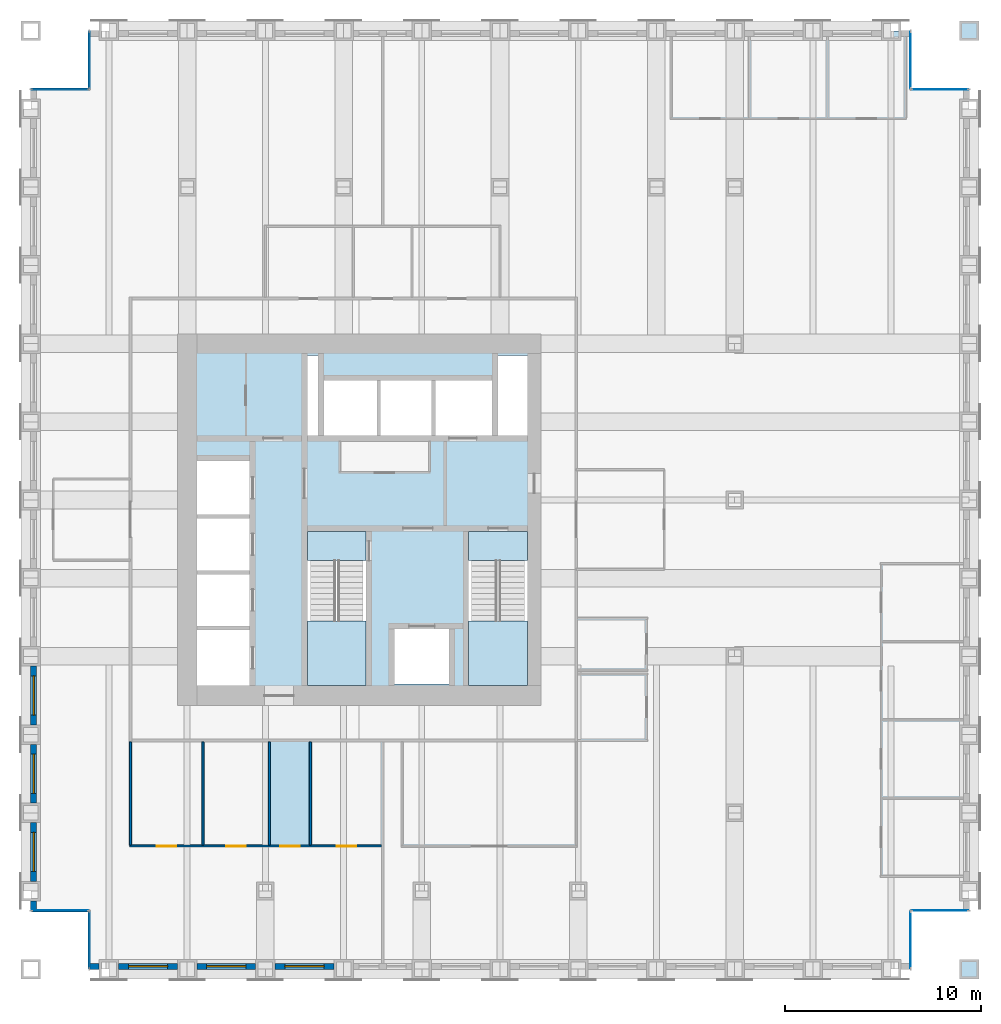
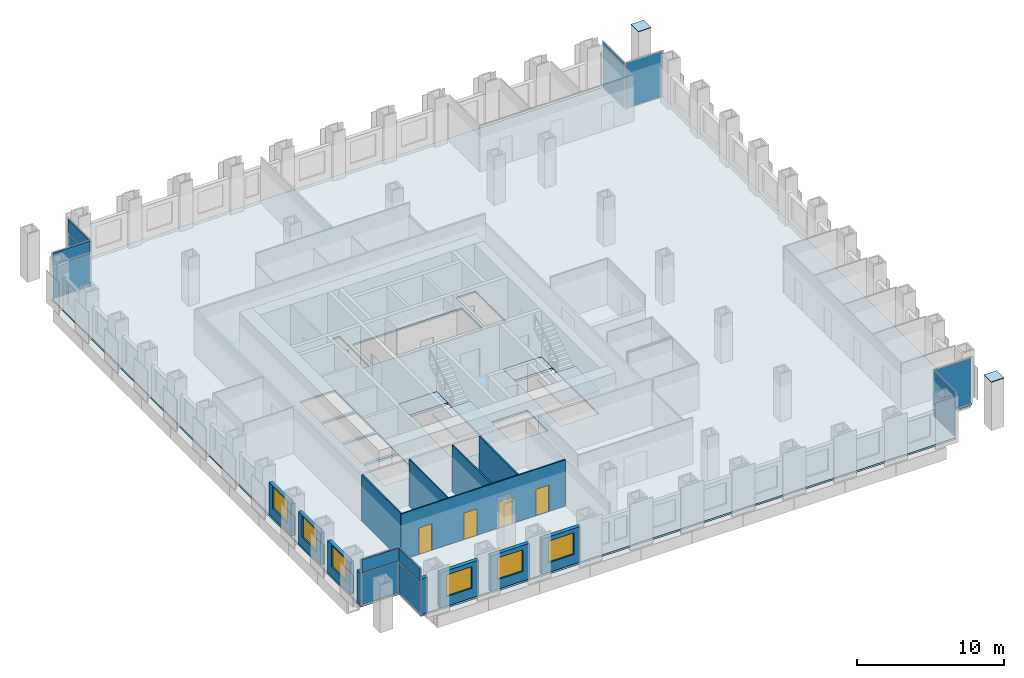
# One storey, part 10 of 16: 14 plates, 13 walls, 6 windows, 5 slabs, 4 doors, 10 openings, 14 elements without a shape of their own.
"""IFC4 building model written with IfcOpenShell, lengths in metres."""

from ifc_helpers import new_model, si_unit, direction, frame, frame_2d, origin, origin_2d, place, context, subcontext, project, spatial, polyline, rectangle, outline, extrude, material, layer, layer_set, type_object, element, fill, aggregate, save


model = new_model("IFC4")

# Units and contexts
model_context = context("Model", 3, precision=1e-05, world=origin(), true_north=direction((0.0, 1.0)))
body_context = subcontext(model_context, "Body", "Model", "MODEL_VIEW")
ifc_project = project(units=[si_unit("LENGTHUNIT", "METRE"), si_unit("AREAUNIT", "SQUARE_METRE"), si_unit("VOLUMEUNIT", "CUBIC_METRE"), si_unit("PLANEANGLEUNIT", "RADIAN"), si_unit("MASSUNIT", "GRAM", prefix="KILO")], contexts=[model_context])

# Site, building, storey
site_placement = place(None, origin())
site = spatial("IfcSite", under=ifc_project, at=site_placement, CompositionType="ELEMENT")
building_placement = place(site_placement, origin())
building = spatial("IfcBuilding", under=site, at=building_placement, Name="Rimbunsela Tower", CompositionType="ELEMENT")
storey_placement = place(building_placement, frame((0.0, 0.0, 133.39990234375)))
storey = spatial("IfcBuildingStorey", under=building, at=storey_placement, Name="L32", CompositionType="ELEMENT", Elevation=133.39990234375)

# Plates
ifc_material_1 = material(Name="Steel BJ 55 (fy 410 MPa)", Category="steel")
ifc_layer_1 = layer(ifc_material_1, 0.050048828125)
ifc_layer_set_1 = layer_set([ifc_layer_1], Name="End cap plate 50")
plate_type_1 = type_object("IfcPlateType", Name="End cap plate 50", PredefinedType="SHEET", material=ifc_layer_set_1)
for number, where, z_axis, x_axis, name in (
    (1, (58.0, 4.0, 4.0), (0.0, 0.0, 1.0), (1.0, 0.0, 0.0), "End cap Column C8 17/C L32"),
    (2, (58.0, 52.0, 4.0), (0.0, 0.0, 1.0), (1.0, 0.0, 0.0), "End cap Column C8 17/Q L32"),
):
    element("IfcPlate", number, at=place(storey_placement, frame(where, z_axis=z_axis, x_axis=x_axis)), inside=storey, type_object=plate_type_1, Name=name, PredefinedType="SHEET", context=body_context, shape_type="SweptSolid", body=[
        extrude(rectangle(XDim=1.0, YDim=1.0, at=origin_2d()), origin(), (0.0, 0.0, 1.0), 0.050048828125),
    ])

# Slab
ifc_material_2 = material(Name="Concrete fc' 35 MPa", Category="concrete")
ifc_layer_2 = layer(ifc_material_2, 0.14990234375)
ifc_layer_set_2 = layer_set([ifc_layer_2], Name="Floor slab 150")
slab_type_1 = type_object("IfcSlabType", Name="Floor slab 150", PredefinedType="FLOOR", material=ifc_layer_set_2)
slab_1_placement = place(storey_placement, frame((0.0, 0.0, -0.14990234375)))
element("IfcSlab", 3, at=slab_1_placement, inside=storey, type_object=slab_type_1, Name="Floor slab L32", PredefinedType="FLOOR", context=body_context, shape_type="SweptSolid", body=[
    extrude(outline(polyline([(13.0, 4.0), (55.0, 4.0), (55.0, 7.0), (58.0, 7.0), (58.0, 49.0), (55.0, 49.0), (55.0, 52.0), (13.0, 52.0), (13.0, 49.0), (10.0, 49.0), (10.0, 7.0), (13.0, 7.0), (13.0, 4.0)]), holes=[polyline([(21.199951171875, 21.35009765625), (18.5, 21.35009765625), (18.5, 18.5), (21.199951171875, 18.5), (21.199951171875, 21.35009765625)]), polyline([(21.199951171875, 21.550048828125), (21.199951171875, 24.199951171875), (18.5, 24.199951171875), (18.5, 21.550048828125), (21.199951171875, 21.550048828125)]), polyline([(21.199951171875, 27.050048828125), (18.5, 27.050048828125), (18.5, 24.39990234375), (21.199951171875, 24.39990234375), (21.199951171875, 27.050048828125)]), polyline([(21.199951171875, 27.25), (21.199951171875, 30.0), (18.5, 30.0), (18.5, 27.25), (21.199951171875, 27.25)]), polyline([(27.14990234375, 18.60009765625), (27.14990234375, 26.39990234375), (24.14990234375, 26.39990234375), (24.14990234375, 18.60009765625), (27.14990234375, 18.60009765625)]), polyline([(24.699951171875, 31.300048828125), (24.699951171875, 35.39990234375), (24.14990234375, 35.39990234375), (24.14990234375, 31.300048828125), (24.699951171875, 31.300048828125)]), polyline([(25.0, 34.10009765625), (25.0, 31.300048828125), (33.60009765625, 31.300048828125), (33.60009765625, 34.10009765625), (25.0, 34.10009765625)]), polyline([(31.39990234375, 21.39990234375), (28.60009765625, 21.39990234375), (28.60009765625, 18.60009765625), (31.39990234375, 18.60009765625), (31.39990234375, 21.39990234375)]), polyline([(35.39990234375, 18.60009765625), (35.39990234375, 26.39990234375), (32.39990234375, 26.39990234375), (32.39990234375, 18.60009765625), (35.39990234375, 18.60009765625)]), polyline([(35.39990234375, 31.300048828125), (35.39990234375, 35.39990234375), (33.89990234375, 35.39990234375), (33.89990234375, 31.300048828125), (35.39990234375, 31.300048828125)])]), origin(), (0.0, 0.0, 1.0), 0.14990234375),
])

# Curtain wall, plate
ifc_material_3 = material(Name="Aluminium curtain wall", Category="aluminium")
curtain_wall_type_1 = type_object("IfcCurtainWallType", Name="Corner glazing", PredefinedType="USERDEFINED", material=ifc_material_3)
curtain_wall_1_placement = place(storey_placement, origin())
curtain_wall_1 = element("IfcCurtainWall", 4, at=curtain_wall_1_placement, inside=storey, type_object=curtain_wall_type_1, Name="Corner glazing L32", ObjectType="CORNER GLAZING", PredefinedType="USERDEFINED")
ifc_material_4 = material(Name="Clear double glazing", Category="glass")
ifc_layer_3 = layer(ifc_material_4, 0.028076171875)
ifc_layer_set_3 = layer_set([ifc_layer_3], Name="Glazed panel clear")
plate_type_2 = type_object("IfcPlateType", Name="Glazed panel clear", PredefinedType="CURTAIN_PANEL", material=ifc_layer_set_3)
plate_1_placement = place(storey_placement, frame((55.0, 5.5, 0.06005859375), z_axis=(0.0, 0.0, 1.0), x_axis=(0.0, 1.0, 0.0)))
plate_1 = element("IfcPlate", 5, at=plate_1_placement, type_object=plate_type_2, Name="CW5 panel 1.1", PredefinedType="CURTAIN_PANEL", context=body_context, shape_type="SweptSolid", body=[
    extrude(rectangle(XDim=2.8798828125, YDim=0.028076171875, at=origin_2d()), origin(), (0.0, 0.0, 1.0), 3.72998046875),
])
aggregate(curtain_wall_1, [plate_1])

curtain_wall_2_placement = place(storey_placement, origin())
curtain_wall_2 = element("IfcCurtainWall", 6, at=curtain_wall_2_placement, inside=storey, type_object=curtain_wall_type_1, Name="Corner glazing L32", ObjectType="CORNER GLAZING", PredefinedType="USERDEFINED")
plate_2_placement = place(storey_placement, frame((56.5, 7.0, 0.06005859375), z_axis=(0.0, 0.0, 1.0), x_axis=(1.0, 0.0, 0.0)))
plate_2 = element("IfcPlate", 7, at=plate_2_placement, type_object=plate_type_2, Name="CW5 panel 1.1", PredefinedType="CURTAIN_PANEL", context=body_context, shape_type="SweptSolid", body=[
    extrude(rectangle(XDim=2.8798828125, YDim=0.028076171875, at=origin_2d()), origin(), (0.0, 0.0, 1.0), 3.72998046875),
])
aggregate(curtain_wall_2, [plate_2])

curtain_wall_3_placement = place(storey_placement, origin())
curtain_wall_3 = element("IfcCurtainWall", 8, at=curtain_wall_3_placement, inside=storey, type_object=curtain_wall_type_1, Name="Corner glazing L32", ObjectType="CORNER GLAZING", PredefinedType="USERDEFINED")
plate_3_placement = place(storey_placement, frame((56.5, 49.0, 0.06005859375), z_axis=(0.0, 0.0, 1.0), x_axis=(-1.0, 0.0, 0.0)))
plate_3 = element("IfcPlate", 9, at=plate_3_placement, type_object=plate_type_2, Name="CW5 panel 1.1", PredefinedType="CURTAIN_PANEL", context=body_context, shape_type="SweptSolid", body=[
    extrude(rectangle(XDim=2.8798828125, YDim=0.028076171875, at=origin_2d()), origin(), (0.0, 0.0, 1.0), 3.72998046875),
])
aggregate(curtain_wall_3, [plate_3])

curtain_wall_4_placement = place(storey_placement, origin())
curtain_wall_4 = element("IfcCurtainWall", 10, at=curtain_wall_4_placement, inside=storey, type_object=curtain_wall_type_1, Name="Corner glazing L32", ObjectType="CORNER GLAZING", PredefinedType="USERDEFINED")
plate_4_placement = place(storey_placement, frame((55.0, 50.5, 0.06005859375), z_axis=(0.0, 0.0, 1.0), x_axis=(0.0, 1.0, 0.0)))
plate_4 = element("IfcPlate", 11, at=plate_4_placement, type_object=plate_type_2, Name="CW5 panel 1.1", PredefinedType="CURTAIN_PANEL", context=body_context, shape_type="SweptSolid", body=[
    extrude(rectangle(XDim=2.8798828125, YDim=0.028076171875, at=origin_2d()), origin(), (0.0, 0.0, 1.0), 3.72998046875),
])
aggregate(curtain_wall_4, [plate_4])

curtain_wall_5_placement = place(storey_placement, origin())
curtain_wall_5 = element("IfcCurtainWall", 12, at=curtain_wall_5_placement, inside=storey, type_object=curtain_wall_type_1, Name="Corner glazing L32", ObjectType="CORNER GLAZING", PredefinedType="USERDEFINED")
plate_5_placement = place(storey_placement, frame((13.0, 50.5, 0.06005859375), z_axis=(0.0, 0.0, 1.0), x_axis=(0.0, -1.0, 0.0)))
plate_5 = element("IfcPlate", 13, at=plate_5_placement, type_object=plate_type_2, Name="CW5 panel 1.1", PredefinedType="CURTAIN_PANEL", context=body_context, shape_type="SweptSolid", body=[
    extrude(rectangle(XDim=2.8798828125, YDim=0.028076171875, at=origin_2d()), origin(), (0.0, 0.0, 1.0), 2.530029296875),
])
aggregate(curtain_wall_5, [plate_5])

curtain_wall_6_placement = place(storey_placement, origin())
curtain_wall_6 = element("IfcCurtainWall", 14, at=curtain_wall_6_placement, inside=storey, type_object=curtain_wall_type_1, Name="Corner glazing L32", ObjectType="CORNER GLAZING", PredefinedType="USERDEFINED")
plate_6_placement = place(storey_placement, frame((11.5, 49.0, 0.06005859375), z_axis=(0.0, 0.0, 1.0), x_axis=(-1.0, 0.0, 0.0)))
plate_6 = element("IfcPlate", 15, at=plate_6_placement, type_object=plate_type_2, Name="CW5 panel 1.1", PredefinedType="CURTAIN_PANEL", context=body_context, shape_type="SweptSolid", body=[
    extrude(rectangle(XDim=2.8798828125, YDim=0.028076171875, at=origin_2d()), origin(), (0.0, 0.0, 1.0), 2.530029296875),
])
aggregate(curtain_wall_6, [plate_6])

curtain_wall_7_placement = place(storey_placement, origin())
curtain_wall_7 = element("IfcCurtainWall", 16, at=curtain_wall_7_placement, inside=storey, type_object=curtain_wall_type_1, Name="Corner glazing L32", ObjectType="CORNER GLAZING", PredefinedType="USERDEFINED")
plate_7_placement = place(storey_placement, frame((11.5, 7.0, 0.06005859375), z_axis=(0.0, 0.0, 1.0), x_axis=(1.0, 0.0, 0.0)))
plate_7 = element("IfcPlate", 17, at=plate_7_placement, type_object=plate_type_2, Name="CW5 panel 1.1", PredefinedType="CURTAIN_PANEL", context=body_context, shape_type="SweptSolid", body=[
    extrude(rectangle(XDim=2.8798828125, YDim=0.028076171875, at=origin_2d()), origin(), (0.0, 0.0, 1.0), 2.530029296875),
])
aggregate(curtain_wall_7, [plate_7])

curtain_wall_8_placement = place(storey_placement, origin())
curtain_wall_8 = element("IfcCurtainWall", 18, at=curtain_wall_8_placement, inside=storey, type_object=curtain_wall_type_1, Name="Corner glazing L32", ObjectType="CORNER GLAZING", PredefinedType="USERDEFINED")
plate_8_placement = place(storey_placement, frame((13.0, 5.5, 0.06005859375), z_axis=(0.0, 0.0, 1.0), x_axis=(0.0, -1.0, 0.0)))
plate_8 = element("IfcPlate", 19, at=plate_8_placement, type_object=plate_type_2, Name="CW5 panel 1.1", PredefinedType="CURTAIN_PANEL", context=body_context, shape_type="SweptSolid", body=[
    extrude(rectangle(XDim=2.8798828125, YDim=0.028076171875, at=origin_2d()), origin(), (0.0, 0.0, 1.0), 2.530029296875),
])
aggregate(curtain_wall_8, [plate_8])

ifc_material_5 = material(Name="Aluminium curtain wall", Category="aluminium")
curtain_wall_type_2 = type_object("IfcCurtainWallType", Name="Spandrel wall", PredefinedType="USERDEFINED", material=ifc_material_5)
curtain_wall_9_placement = place(storey_placement, origin())
curtain_wall_9 = element("IfcCurtainWall", 20, at=curtain_wall_9_placement, inside=storey, type_object=curtain_wall_type_2, Name="Spandrel wall L32", ObjectType="SPANDREL WALL", PredefinedType="USERDEFINED")
ifc_material_6 = material(Name="Insulated aluminium spandrel panel", Category="aluminium")
ifc_layer_4 = layer(ifc_material_6, 0.10009765625)
ifc_layer_set_4 = layer_set([ifc_layer_4], Name="Insulated panel 100")
plate_type_3 = type_object("IfcPlateType", Name="Insulated panel 100", PredefinedType="CURTAIN_PANEL", material=ifc_layer_set_4)
plate_9_placement = place(storey_placement, frame((13.0, 50.5, 2.7099609375), z_axis=(0.0, 0.0, 1.0), x_axis=(0.0, -1.0, 0.0)))
plate_9 = element("IfcPlate", 21, at=plate_9_placement, type_object=plate_type_3, Name="CW7 panel 1.1", PredefinedType="CURTAIN_PANEL", context=body_context, shape_type="SweptSolid", body=[
    extrude(rectangle(XDim=2.8798828125, YDim=0.10009765625, at=origin_2d()), origin(), (0.0, 0.0, 1.0), 1.080078125),
])
aggregate(curtain_wall_9, [plate_9])

curtain_wall_10_placement = place(storey_placement, origin())
curtain_wall_10 = element("IfcCurtainWall", 22, at=curtain_wall_10_placement, inside=storey, type_object=curtain_wall_type_2, Name="Spandrel wall L32", ObjectType="SPANDREL WALL", PredefinedType="USERDEFINED")
plate_10_placement = place(storey_placement, frame((11.5, 49.0, 2.7099609375), z_axis=(0.0, 0.0, 1.0), x_axis=(-1.0, 0.0, 0.0)))
plate_10 = element("IfcPlate", 23, at=plate_10_placement, type_object=plate_type_3, Name="CW7 panel 1.1", PredefinedType="CURTAIN_PANEL", context=body_context, shape_type="SweptSolid", body=[
    extrude(rectangle(XDim=2.8798828125, YDim=0.10009765625, at=origin_2d()), origin(), (0.0, 0.0, 1.0), 1.080078125),
])
aggregate(curtain_wall_10, [plate_10])

curtain_wall_11_placement = place(storey_placement, origin())
curtain_wall_11 = element("IfcCurtainWall", 24, at=curtain_wall_11_placement, inside=storey, type_object=curtain_wall_type_2, Name="Spandrel wall L32", ObjectType="SPANDREL WALL", PredefinedType="USERDEFINED")
plate_11_placement = place(storey_placement, frame((11.5, 7.0, 2.7099609375), z_axis=(0.0, 0.0, 1.0), x_axis=(1.0, 0.0, 0.0)))
plate_11 = element("IfcPlate", 25, at=plate_11_placement, type_object=plate_type_3, Name="CW7 panel 1.1", PredefinedType="CURTAIN_PANEL", context=body_context, shape_type="SweptSolid", body=[
    extrude(rectangle(XDim=2.8798828125, YDim=0.10009765625, at=origin_2d()), origin(), (0.0, 0.0, 1.0), 1.080078125),
])
aggregate(curtain_wall_11, [plate_11])

curtain_wall_12_placement = place(storey_placement, origin())
curtain_wall_12 = element("IfcCurtainWall", 26, at=curtain_wall_12_placement, inside=storey, type_object=curtain_wall_type_2, Name="Spandrel wall L32", ObjectType="SPANDREL WALL", PredefinedType="USERDEFINED")
plate_12_placement = place(storey_placement, frame((13.0, 5.5, 2.7099609375), z_axis=(0.0, 0.0, 1.0), x_axis=(0.0, -1.0, 0.0)))
plate_12 = element("IfcPlate", 27, at=plate_12_placement, type_object=plate_type_3, Name="CW7 panel 1.1", PredefinedType="CURTAIN_PANEL", context=body_context, shape_type="SweptSolid", body=[
    extrude(rectangle(XDim=2.8798828125, YDim=0.10009765625, at=origin_2d()), origin(), (0.0, 0.0, 1.0), 1.080078125),
])
aggregate(curtain_wall_12, [plate_12])

# Stair, slabs
ifc_material_7 = material(Name="Concrete fc' 35 MPa", Category="concrete")
stair_type = type_object("IfcStairType", Name="Exit stair 24 risers", PredefinedType="HALF_TURN_STAIR", material=ifc_material_7)
stair_1_placement = place(storey_placement, origin())
stair_1 = element("IfcStair", 28, at=stair_1_placement, inside=storey, type_object=stair_type, Name="Exit stair A L32", PredefinedType="HALF_TURN_STAIR")
ifc_material_8 = material(Name="Concrete fc' 35 MPa", Category="concrete")
ifc_layer_5 = layer(ifc_material_8, 0.199951171875)
ifc_layer_set_5 = layer_set([ifc_layer_5], Name="Stair landing 200")
slab_type_2 = type_object("IfcSlabType", Name="Stair landing 200", PredefinedType="LANDING", material=ifc_layer_set_5)
slab_2_placement = place(storey_placement, frame((0.0, 0.0, -0.199951171875)))
slab_2 = element("IfcSlab", 29, at=slab_2_placement, type_object=slab_type_2, Name="ST-A landing 1", PredefinedType="LANDING", context=body_context, shape_type="SweptSolid", body=[
    extrude(outline(polyline([(24.14990234375, 24.89990234375), (27.14990234375, 24.89990234375), (27.14990234375, 26.39990234375), (24.14990234375, 26.39990234375), (24.14990234375, 24.89990234375)])), origin(), (0.0, 0.0, 1.0), 0.199951171875),
])
slab_3_placement = place(storey_placement, frame((0.0, 0.0, 1.800048828125)))
slab_3 = element("IfcSlab", 30, at=slab_3_placement, type_object=slab_type_2, Name="ST-A landing 2", PredefinedType="LANDING", context=body_context, shape_type="SweptSolid", body=[
    extrude(outline(polyline([(24.14990234375, 18.5), (27.14990234375, 18.5), (27.14990234375, 21.820068359375), (24.14990234375, 21.820068359375), (24.14990234375, 18.5)])), origin(), (0.0, 0.0, 1.0), 0.199951171875),
])
aggregate(stair_1, [slab_2, slab_3])

stair_2_placement = place(storey_placement, origin())
stair_2 = element("IfcStair", 31, at=stair_2_placement, inside=storey, type_object=stair_type, Name="Exit stair B L32", PredefinedType="HALF_TURN_STAIR")
slab_4_placement = place(storey_placement, frame((0.0, 0.0, -0.199951171875)))
slab_4 = element("IfcSlab", 32, at=slab_4_placement, type_object=slab_type_2, Name="ST-B landing 1", PredefinedType="LANDING", context=body_context, shape_type="SweptSolid", body=[
    extrude(outline(polyline([(32.39990234375, 24.89990234375), (35.39990234375, 24.89990234375), (35.39990234375, 26.39990234375), (32.39990234375, 26.39990234375), (32.39990234375, 24.89990234375)])), origin(), (0.0, 0.0, 1.0), 0.199951171875),
])
slab_5_placement = place(storey_placement, frame((0.0, 0.0, 1.800048828125)))
slab_5 = element("IfcSlab", 33, at=slab_5_placement, type_object=slab_type_2, Name="ST-B landing 2", PredefinedType="LANDING", context=body_context, shape_type="SweptSolid", body=[
    extrude(outline(polyline([(32.39990234375, 18.5), (35.39990234375, 18.5), (35.39990234375, 21.820068359375), (32.39990234375, 21.820068359375), (32.39990234375, 18.5)])), origin(), (0.0, 0.0, 1.0), 0.199951171875),
])
aggregate(stair_2, [slab_4, slab_5])

# Wall, openings, doors
ifc_material_9 = material(Name="Gypsum board on steel studs", Category="steel")
ifc_layer_6 = layer(ifc_material_9, 0.10009765625)
ifc_layer_set_6 = layer_set([ifc_layer_6], Name="Office partition 100")
wall_type_1 = type_object("IfcWallType", Name="Office partition 100", PredefinedType="PARTITIONING", material=ifc_layer_set_6)
wall_1_placement = place(storey_placement, frame((15.050048828125, 10.300048828125, 0.0), z_axis=(0.0, 0.0, 1.0), x_axis=(1.0, 0.0, 0.0)))
wall_1 = element("IfcWall", 34, at=wall_1_placement, inside=storey, type_object=wall_type_1, Name="Office partition", PredefinedType="PARTITIONING", context=body_context, shape_type="SweptSolid", body=[
    extrude(rectangle(XDim=12.888916015625, YDim=0.10009765625, at=frame_2d((6.4443359375, 0.0))), origin(), (0.0, 0.0, 1.0), 3.85009765625),
])
opening_1_placement = place(wall_1_placement, frame((1.39990234375, 0.0, 0.0)))
opening_1 = element("IfcOpeningElement", 35, at=opening_1_placement, cuts=wall_1, Name="Opening D17", PredefinedType="OPENING", context=body_context, shape_type="SweptSolid", body=[
    extrude(rectangle(XDim=1.0, YDim=2.199951171875, at=frame_2d((0.5, 1.10009765625))), frame((0.0, 0.06005859375, 0.0), z_axis=(0.0, -1.0, 0.0), x_axis=(1.0, 0.0, 0.0)), (0.0, 0.0, 1.0), 0.1201171875),
])
opening_2_placement = place(wall_1_placement, frame((4.949951171875, 0.0, 0.0)))
opening_2 = element("IfcOpeningElement", 36, at=opening_2_placement, cuts=wall_1, Name="Opening D16", PredefinedType="OPENING", context=body_context, shape_type="SweptSolid", body=[
    extrude(rectangle(XDim=1.0, YDim=2.199951171875, at=frame_2d((0.5, 1.10009765625))), frame((0.0, 0.06005859375, 0.0), z_axis=(0.0, -1.0, 0.0), x_axis=(1.0, 0.0, 0.0)), (0.0, 0.0, 1.0), 0.1201171875),
])
opening_3_placement = place(wall_1_placement, frame((7.699951171875, 0.0, 0.0)))
opening_3 = element("IfcOpeningElement", 37, at=opening_3_placement, cuts=wall_1, Name="Opening D16", PredefinedType="OPENING", context=body_context, shape_type="SweptSolid", body=[
    extrude(rectangle(XDim=1.0, YDim=2.199951171875, at=frame_2d((0.5, 1.10009765625))), frame((0.0, 0.06005859375, 0.0), z_axis=(0.0, -1.0, 0.0), x_axis=(1.0, 0.0, 0.0)), (0.0, 0.0, 1.0), 0.1201171875),
])
opening_4_placement = place(wall_1_placement, frame((10.599609375, 0.0, 0.0)))
opening_4 = element("IfcOpeningElement", 38, at=opening_4_placement, cuts=wall_1, Name="Opening D16", PredefinedType="OPENING", context=body_context, shape_type="SweptSolid", body=[
    extrude(rectangle(XDim=1.0, YDim=2.199951171875, at=frame_2d((0.5, 1.10009765625))), frame((0.0, 0.06005859375, 0.0), z_axis=(0.0, -1.0, 0.0), x_axis=(1.0, 0.0, 0.0)), (0.0, 0.0, 1.0), 0.1201171875),
])
ifc_material_10 = material(Name="Glazed aluminium door", Category="aluminium")
door_type_1 = type_object("IfcDoorType", Name="Meeting room door 1000 glazed", OperationType="SINGLE_SWING_RIGHT", PredefinedType="DOOR", material=ifc_material_10)
door_1_placement = place(opening_1_placement, origin())
door_1 = element("IfcDoor", 39, at=door_1_placement, inside=storey, type_object=door_type_1, Name="Meeting room door", OperationType="SINGLE_SWING_RIGHT", OverallHeight=2.199951171875, OverallWidth=1.0, PredefinedType="DOOR", context=body_context, shape_type="SweptSolid", body=[
    extrude(rectangle(XDim=1.0, YDim=2.199951171875, at=frame_2d((0.5, 1.10009765625))), frame((0.0, 0.02490234375, 0.0), z_axis=(0.0, -1.0, 0.0), x_axis=(1.0, 0.0, 0.0)), (0.0, 0.0, 1.0), 0.050048828125),
])
fill(opening_1, door_1)
ifc_material_11 = material(Name="Timber door", Category="wood")
door_type_2 = type_object("IfcDoorType", Name="Office door 1000", OperationType="SINGLE_SWING_LEFT", PredefinedType="DOOR", material=ifc_material_11)
door_2_placement = place(opening_2_placement, origin())
door_2 = element("IfcDoor", 40, at=door_2_placement, inside=storey, type_object=door_type_2, Name="Office door", OperationType="SINGLE_SWING_LEFT", OverallHeight=2.199951171875, OverallWidth=1.0, PredefinedType="DOOR", context=body_context, shape_type="SweptSolid", body=[
    extrude(rectangle(XDim=1.0, YDim=2.199951171875, at=frame_2d((0.5, 1.10009765625))), frame((0.0, 0.02490234375, 0.0), z_axis=(0.0, -1.0, 0.0), x_axis=(1.0, 0.0, 0.0)), (0.0, 0.0, 1.0), 0.050048828125),
])
fill(opening_2, door_2)
door_3_placement = place(opening_3_placement, origin())
door_3 = element("IfcDoor", 41, at=door_3_placement, inside=storey, type_object=door_type_2, Name="Office door", OperationType="SINGLE_SWING_LEFT", OverallHeight=2.199951171875, OverallWidth=1.0, PredefinedType="DOOR", context=body_context, shape_type="SweptSolid", body=[
    extrude(rectangle(XDim=1.0, YDim=2.199951171875, at=frame_2d((0.5, 1.10009765625))), frame((0.0, 0.02490234375, 0.0), z_axis=(0.0, -1.0, 0.0), x_axis=(1.0, 0.0, 0.0)), (0.0, 0.0, 1.0), 0.050048828125),
])
fill(opening_3, door_3)
door_4_placement = place(opening_4_placement, origin())
door_4 = element("IfcDoor", 42, at=door_4_placement, inside=storey, type_object=door_type_2, Name="Office door", OperationType="SINGLE_SWING_LEFT", OverallHeight=2.199951171875, OverallWidth=1.0, PredefinedType="DOOR", context=body_context, shape_type="SweptSolid", body=[
    extrude(rectangle(XDim=1.0, YDim=2.199951171875, at=frame_2d((0.5, 1.10009765625))), frame((0.0, 0.02490234375, 0.0), z_axis=(0.0, -1.0, 0.0), x_axis=(1.0, 0.0, 0.0)), (0.0, 0.0, 1.0), 0.050048828125),
])
fill(opening_4, door_4)

# Walls
for number, where, z_axis, x_axis, name in (
    (43, (15.10009765625, 10.35009765625, 0.0), (0.0, 0.0, 1.0), (0.0, 1.0, 0.0), "Office partition"),
    (44, (18.800048828125, 10.35009765625, 0.0), (0.0, 0.0, 1.0), (0.0, 1.0, 0.0), "Office partition"),
    (45, (22.199951171875, 10.35009765625, 0.0), (0.0, 0.0, 1.0), (0.0, 1.0, 0.0), "Office partition"),
    (46, (24.300048828125, 10.35009765625, 0.0), (0.0, 0.0, 1.0), (0.0, 1.0, 0.0), "Office partition"),
):
    element("IfcWall", number, at=place(storey_placement, frame(where, z_axis=z_axis, x_axis=x_axis)), inside=storey, type_object=wall_type_1, Name=name, PredefinedType="PARTITIONING", context=body_context, shape_type="SweptSolid", body=[
        extrude(rectangle(XDim=5.27490234375, YDim=0.10009765625, at=frame_2d((2.637451171875, 0.0))), origin(), (0.0, 0.0, 1.0), 3.85009765625),
    ])
ifc_material_12 = material(Name="Precast concrete fc' 35 MPa", Category="concrete")
ifc_layer_7 = layer(ifc_material_12, 0.300048828125)
ifc_layer_set_7 = layer_set([ifc_layer_7], Name="Precast concrete fc' 35 MPa")
wall_type_2 = type_object("IfcWallType", Name="Precast facade panel 300", PredefinedType="ELEMENTEDWALL", material=ifc_layer_set_7)
wall_2_placement = place(storey_placement, frame((13.030029296875, 4.14990234375, 0.0), z_axis=(0.0, 0.0, 1.0), x_axis=(1.0, 0.0, 0.0)))
element("IfcWall", 47, at=wall_2_placement, inside=storey, type_object=wall_type_2, Name="Facade panel S L32", PredefinedType="ELEMENTEDWALL", context=body_context, shape_type="SweptSolid", body=[
    extrude(rectangle(XDim=0.469970703125, YDim=0.300048828125, at=frame_2d((0.23486328125, 0.0))), origin(), (0.0, 0.0, 1.0), 2.9501953125),
])

# Wall, opening, window
wall_3_placement = place(storey_placement, frame((14.5, 4.14990234375, 0.0), z_axis=(0.0, 0.0, 1.0), x_axis=(1.0, 0.0, 0.0)))
wall_3 = element("IfcWall", 48, at=wall_3_placement, inside=storey, type_object=wall_type_2, Name="Facade panel S L32", PredefinedType="ELEMENTEDWALL", context=body_context, shape_type="SweptSolid", body=[
    extrude(rectangle(XDim=3.0, YDim=0.300048828125, at=frame_2d((1.5, 0.0))), origin(), (0.0, 0.0, 1.0), 2.9501953125),
])
opening_5_placement = place(wall_3_placement, frame((0.5, 0.0, 0.800048828125)))
opening_5 = element("IfcOpeningElement", 49, at=opening_5_placement, cuts=wall_3, Name="Opening W7", PredefinedType="OPENING", context=body_context, shape_type="SweptSolid", body=[
    extrude(rectangle(XDim=2.0, YDim=1.800048828125, at=frame_2d((1.0, 0.89990234375))), frame((0.0, 0.159912109375, 0.0), z_axis=(0.0, -1.0, 0.0), x_axis=(1.0, 0.0, 0.0)), (0.0, 0.0, 1.0), 0.320068359375),
])
ifc_material_13 = material(Name="Clear glass in aluminium frame", Category="aluminium")
window_type = type_object("IfcWindowType", Name="Window W7 2000x1800", PartitioningType="DOUBLE_PANEL_VERTICAL", PredefinedType="WINDOW", material=ifc_material_13)
window_1_placement = place(opening_5_placement, origin())
window_1 = element("IfcWindow", 50, at=window_1_placement, inside=storey, type_object=window_type, Name="Window L32", OverallHeight=1.800048828125, OverallWidth=2.0, PartitioningType="SINGLE_PANEL", PredefinedType="WINDOW", context=body_context, shape_type="SweptSolid", body=[
    extrude(rectangle(XDim=2.0, YDim=1.800048828125, at=frame_2d((1.0, 0.89990234375))), frame((0.0, 0.030029296875, 0.0), z_axis=(0.0, -1.0, 0.0), x_axis=(1.0, 0.0, 0.0)), (0.0, 0.0, 1.0), 0.06005859375),
])
fill(opening_5, window_1)

wall_4_placement = place(storey_placement, frame((18.5, 4.14990234375, 0.0), z_axis=(0.0, 0.0, 1.0), x_axis=(1.0, 0.0, 0.0)))
wall_4 = element("IfcWall", 51, at=wall_4_placement, inside=storey, type_object=wall_type_2, Name="Facade panel S L32", PredefinedType="ELEMENTEDWALL", context=body_context, shape_type="SweptSolid", body=[
    extrude(rectangle(XDim=3.0, YDim=0.300048828125, at=frame_2d((1.5, 0.0))), origin(), (0.0, 0.0, 1.0), 2.9501953125),
])
opening_6_placement = place(wall_4_placement, frame((0.5, 0.0, 0.800048828125)))
opening_6 = element("IfcOpeningElement", 52, at=opening_6_placement, cuts=wall_4, Name="Opening W7", PredefinedType="OPENING", context=body_context, shape_type="SweptSolid", body=[
    extrude(rectangle(XDim=2.0, YDim=1.800048828125, at=frame_2d((1.0, 0.89990234375))), frame((0.0, 0.159912109375, 0.0), z_axis=(0.0, -1.0, 0.0), x_axis=(1.0, 0.0, 0.0)), (0.0, 0.0, 1.0), 0.320068359375),
])
window_2_placement = place(opening_6_placement, origin())
window_2 = element("IfcWindow", 53, at=window_2_placement, inside=storey, type_object=window_type, Name="Window L32", OverallHeight=1.800048828125, OverallWidth=2.0, PartitioningType="SINGLE_PANEL", PredefinedType="WINDOW", context=body_context, shape_type="SweptSolid", body=[
    extrude(rectangle(XDim=2.0, YDim=1.800048828125, at=frame_2d((1.0, 0.89990234375))), frame((0.0, 0.030029296875, 0.0), z_axis=(0.0, -1.0, 0.0), x_axis=(1.0, 0.0, 0.0)), (0.0, 0.0, 1.0), 0.06005859375),
])
fill(opening_6, window_2)

wall_5_placement = place(storey_placement, frame((22.5, 4.14990234375, 0.0), z_axis=(0.0, 0.0, 1.0), x_axis=(1.0, 0.0, 0.0)))
wall_5 = element("IfcWall", 54, at=wall_5_placement, inside=storey, type_object=wall_type_2, Name="Facade panel S L32", PredefinedType="ELEMENTEDWALL", context=body_context, shape_type="SweptSolid", body=[
    extrude(rectangle(XDim=3.0, YDim=0.300048828125, at=frame_2d((1.5, 0.0))), origin(), (0.0, 0.0, 1.0), 2.9501953125),
])
opening_7_placement = place(wall_5_placement, frame((0.5, 0.0, 0.800048828125)))
opening_7 = element("IfcOpeningElement", 55, at=opening_7_placement, cuts=wall_5, Name="Opening W7", PredefinedType="OPENING", context=body_context, shape_type="SweptSolid", body=[
    extrude(rectangle(XDim=2.0, YDim=1.800048828125, at=frame_2d((1.0, 0.89990234375))), frame((0.0, 0.159912109375, 0.0), z_axis=(0.0, -1.0, 0.0), x_axis=(1.0, 0.0, 0.0)), (0.0, 0.0, 1.0), 0.320068359375),
])
window_3_placement = place(opening_7_placement, origin())
window_3 = element("IfcWindow", 56, at=window_3_placement, inside=storey, type_object=window_type, Name="Window L32", OverallHeight=1.800048828125, OverallWidth=2.0, PartitioningType="SINGLE_PANEL", PredefinedType="WINDOW", context=body_context, shape_type="SweptSolid", body=[
    extrude(rectangle(XDim=2.0, YDim=1.800048828125, at=frame_2d((1.0, 0.89990234375))), frame((0.0, 0.030029296875, 0.0), z_axis=(0.0, -1.0, 0.0), x_axis=(1.0, 0.0, 0.0)), (0.0, 0.0, 1.0), 0.06005859375),
])
fill(opening_7, window_3)

# Wall
wall_6_placement = place(storey_placement, frame((10.14990234375, 7.5, 0.0), z_axis=(0.0, 0.0, 1.0), x_axis=(0.0, -1.0, 0.0)))
element("IfcWall", 57, at=wall_6_placement, inside=storey, type_object=wall_type_2, Name="Facade panel W L32", PredefinedType="ELEMENTEDWALL", context=body_context, shape_type="SweptSolid", body=[
    extrude(rectangle(XDim=0.469970703125, YDim=0.300048828125, at=frame_2d((0.23486328125, 0.0))), origin(), (0.0, 0.0, 1.0), 2.650146484375),
])

# Wall, opening, window
wall_7_placement = place(storey_placement, frame((10.14990234375, 11.5, 0.0), z_axis=(0.0, 0.0, 1.0), x_axis=(0.0, -1.0, 0.0)))
wall_7 = element("IfcWall", 58, at=wall_7_placement, inside=storey, type_object=wall_type_2, Name="Facade panel W L32", PredefinedType="ELEMENTEDWALL", context=body_context, shape_type="SweptSolid", body=[
    extrude(rectangle(XDim=3.0, YDim=0.300048828125, at=frame_2d((1.5, 0.0))), origin(), (0.0, 0.0, 1.0), 2.650146484375),
])
opening_8_placement = place(wall_7_placement, frame((0.5, 0.0, 0.800048828125)))
opening_8 = element("IfcOpeningElement", 59, at=opening_8_placement, cuts=wall_7, Name="Opening W7", PredefinedType="OPENING", context=body_context, shape_type="SweptSolid", body=[
    extrude(rectangle(XDim=2.0, YDim=1.800048828125, at=frame_2d((1.0, 0.89990234375))), frame((0.0, 0.159912109375, 0.0), z_axis=(0.0, -1.0, 0.0), x_axis=(1.0, 0.0, 0.0)), (0.0, 0.0, 1.0), 0.320068359375),
])
window_4_placement = place(opening_8_placement, origin())
window_4 = element("IfcWindow", 60, at=window_4_placement, inside=storey, type_object=window_type, Name="Window L32", OverallHeight=1.800048828125, OverallWidth=2.0, PartitioningType="SINGLE_PANEL", PredefinedType="WINDOW", context=body_context, shape_type="SweptSolid", body=[
    extrude(rectangle(XDim=2.0, YDim=1.800048828125, at=frame_2d((1.0, 0.89990234375))), frame((0.0, 0.030029296875, 0.0), z_axis=(0.0, -1.0, 0.0), x_axis=(1.0, 0.0, 0.0)), (0.0, 0.0, 1.0), 0.06005859375),
])
fill(opening_8, window_4)

wall_8_placement = place(storey_placement, frame((10.14990234375, 15.5, 0.0), z_axis=(0.0, 0.0, 1.0), x_axis=(0.0, -1.0, 0.0)))
wall_8 = element("IfcWall", 61, at=wall_8_placement, inside=storey, type_object=wall_type_2, Name="Facade panel W L32", PredefinedType="ELEMENTEDWALL", context=body_context, shape_type="SweptSolid", body=[
    extrude(rectangle(XDim=3.0, YDim=0.300048828125, at=frame_2d((1.5, 0.0))), origin(), (0.0, 0.0, 1.0), 2.650146484375),
])
opening_9_placement = place(wall_8_placement, frame((0.5, 0.0, 0.800048828125)))
opening_9 = element("IfcOpeningElement", 62, at=opening_9_placement, cuts=wall_8, Name="Opening W7", PredefinedType="OPENING", context=body_context, shape_type="SweptSolid", body=[
    extrude(rectangle(XDim=2.0, YDim=1.800048828125, at=frame_2d((1.0, 0.89990234375))), frame((0.0, 0.159912109375, 0.0), z_axis=(0.0, -1.0, 0.0), x_axis=(1.0, 0.0, 0.0)), (0.0, 0.0, 1.0), 0.320068359375),
])
window_5_placement = place(opening_9_placement, origin())
window_5 = element("IfcWindow", 63, at=window_5_placement, inside=storey, type_object=window_type, Name="Window L32", OverallHeight=1.800048828125, OverallWidth=2.0, PartitioningType="SINGLE_PANEL", PredefinedType="WINDOW", context=body_context, shape_type="SweptSolid", body=[
    extrude(rectangle(XDim=2.0, YDim=1.800048828125, at=frame_2d((1.0, 0.89990234375))), frame((0.0, 0.030029296875, 0.0), z_axis=(0.0, -1.0, 0.0), x_axis=(1.0, 0.0, 0.0)), (0.0, 0.0, 1.0), 0.06005859375),
])
fill(opening_9, window_5)

wall_9_placement = place(storey_placement, frame((10.14990234375, 19.5, 0.0), z_axis=(0.0, 0.0, 1.0), x_axis=(0.0, -1.0, 0.0)))
wall_9 = element("IfcWall", 64, at=wall_9_placement, inside=storey, type_object=wall_type_2, Name="Facade panel W L32", PredefinedType="ELEMENTEDWALL", context=body_context, shape_type="SweptSolid", body=[
    extrude(rectangle(XDim=3.0, YDim=0.300048828125, at=frame_2d((1.5, 0.0))), origin(), (0.0, 0.0, 1.0), 2.650146484375),
])
opening_10_placement = place(wall_9_placement, frame((0.5, 0.0, 0.800048828125)))
opening_10 = element("IfcOpeningElement", 65, at=opening_10_placement, cuts=wall_9, Name="Opening W7", PredefinedType="OPENING", context=body_context, shape_type="SweptSolid", body=[
    extrude(rectangle(XDim=2.0, YDim=1.800048828125, at=frame_2d((1.0, 0.89990234375))), frame((0.0, 0.159912109375, 0.0), z_axis=(0.0, -1.0, 0.0), x_axis=(1.0, 0.0, 0.0)), (0.0, 0.0, 1.0), 0.320068359375),
])
window_6_placement = place(opening_10_placement, origin())
window_6 = element("IfcWindow", 66, at=window_6_placement, inside=storey, type_object=window_type, Name="Window L32", OverallHeight=1.800048828125, OverallWidth=2.0, PartitioningType="SINGLE_PANEL", PredefinedType="WINDOW", context=body_context, shape_type="SweptSolid", body=[
    extrude(rectangle(XDim=2.0, YDim=1.800048828125, at=frame_2d((1.0, 0.89990234375))), frame((0.0, 0.030029296875, 0.0), z_axis=(0.0, -1.0, 0.0), x_axis=(1.0, 0.0, 0.0)), (0.0, 0.0, 1.0), 0.06005859375),
])
fill(opening_10, window_6)

save(model, "model.ifc")
